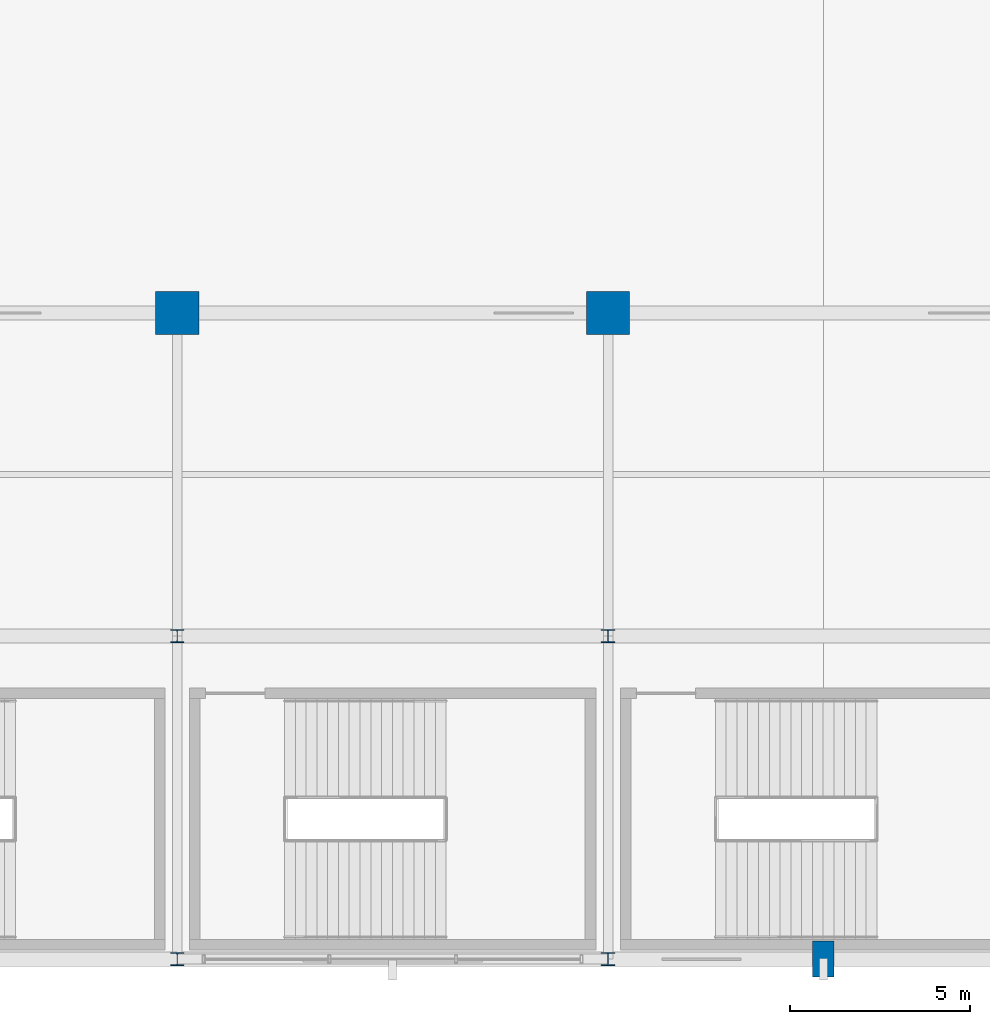
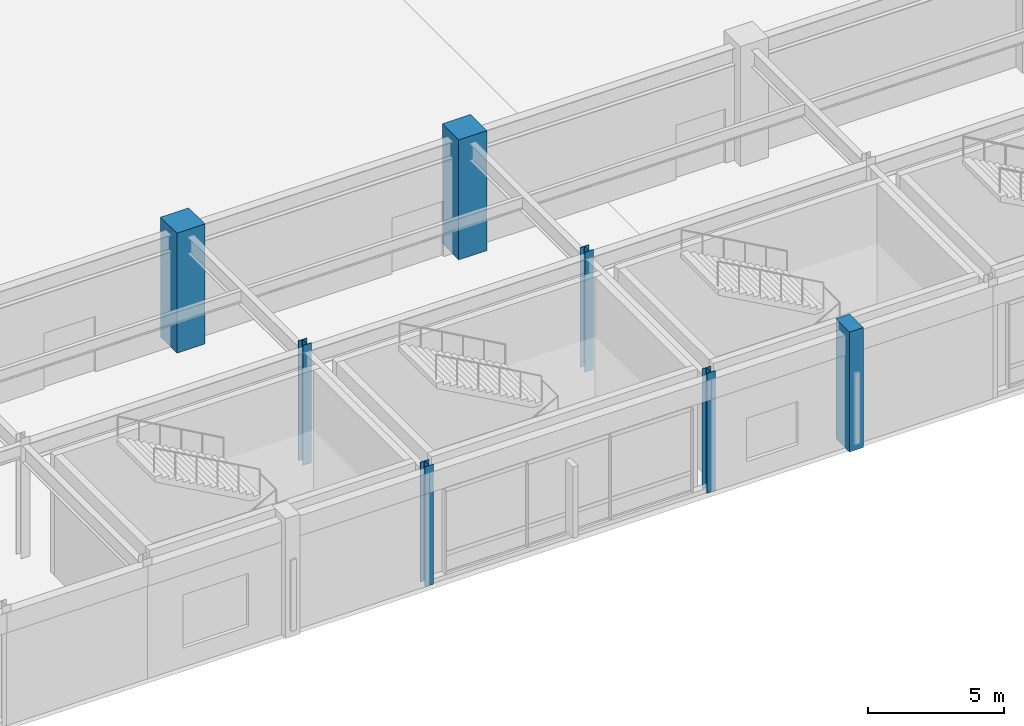
# One storey, part 2 of 100: 7 columns.
"""IFC4 building model written with IfcOpenShell, lengths in metres."""

from ifc_helpers import new_model, si_unit, direction, frame, origin, origin_2d, place, context, subcontext, project, spatial, rectangle, i_section, extrude, material, material_profile, profile_set, type_object, element, save


model = new_model("IFC4")

# Units and contexts
model_context = context("Model", 3, precision=1e-05, world=origin(), true_north=direction((0.0, 1.0)))
body_context = subcontext(model_context, "Body", "Model", "MODEL_VIEW")
ifc_project = project(units=[si_unit("LENGTHUNIT", "METRE"), si_unit("AREAUNIT", "SQUARE_METRE"), si_unit("VOLUMEUNIT", "CUBIC_METRE"), si_unit("PLANEANGLEUNIT", "RADIAN"), si_unit("MASSUNIT", "GRAM", prefix="KILO")], contexts=[model_context])

# Site, building, storey
site_placement = place(None, origin())
site = spatial("IfcSite", under=ifc_project, at=site_placement, CompositionType="ELEMENT")
building_placement = place(site_placement, origin())
building = spatial("IfcBuilding", under=site, at=building_placement, Name="Kaldorvane Square Convention Centre", CompositionType="ELEMENT")
storey_placement = place(building_placement, frame((0.0, 0.0, 18.0)))
storey = spatial("IfcBuildingStorey", under=building, at=storey_placement, Name="L03", CompositionType="ELEMENT", Elevation=18.0)

# Columns
ifc_material_1 = material(Name="Concrete f'c = 55 MPa (Normalweight)", Category="concrete")
ifc_material_profile_1 = material_profile(ifc_material_1, rectangle(XDim=1.1999969482421875, YDim=1.1999969482421875, at=origin_2d()), Name="RC1200X1200")
ifc_profile_set_1 = profile_set([ifc_material_profile_1], Name="Concrete f'c = 55 MPa (Normalweight)")
column_type_1 = type_object("IfcColumnType", Name="COL-MEGA-1200", PredefinedType="COLUMN", material=ifc_profile_set_1)
for number, where, z_axis, x_axis, name in (
    (1, (42.0, 18.0, 0.0), (0.0, 0.0, 1.0), (1.0, 0.0, 0.0), "Column MC-02 (L03)"),
    (2, (54.0, 18.0, 0.0), (0.0, 0.0, 1.0), (1.0, 0.0, 0.0), "Column MC-02 (L03)"),
):
    element("IfcColumn", number, at=place(storey_placement, frame(where, z_axis=z_axis, x_axis=x_axis)), inside=storey, type_object=column_type_1, Name=name, PredefinedType="COLUMN", context=body_context, shape_type="SweptSolid", body=[
        extrude(rectangle(XDim=1.1999969482421875, YDim=1.1999969482421875, at=origin_2d()), origin(), (0.0, 0.0, 1.0), 5.399993896484375),
    ])
ifc_material_2 = material(Name="Steel ASTM A992 Gr. 50", Category="steel")
ifc_material_profile_2 = material_profile(ifc_material_2, i_section(OverallWidth=0.3701019287109375, OverallDepth=0.360198974609375, WebThickness=0.012298583984375, FlangeThickness=0.019805908203125, FilletRadius=0.0305023193359375, at=origin_2d()), Name="W14X99")
ifc_profile_set_2 = profile_set([ifc_material_profile_2], Name="Steel ASTM A992 Gr. 50")
column_type_2 = type_object("IfcColumnType", Name="COL-STL-99", PredefinedType="COLUMN", material=ifc_profile_set_2)
for number, where, z_axis, x_axis, name in (
    (3, (42.0, 0.0, 0.0), (0.0, 0.0, 1.0), (1.0, 0.0, 0.0), "Column SC-12 (L03)"),
    (4, (42.0, 9.0, 0.0), (0.0, 0.0, 1.0), (1.0, 0.0, 0.0), "Column SC-12 (L03)"),
    (5, (54.0, 0.0, 0.0), (0.0, 0.0, 1.0), (1.0, 0.0, 0.0), "Column SC-12 (L03)"),
    (6, (54.0, 9.0, 0.0), (0.0, 0.0, 1.0), (1.0, 0.0, 0.0), "Column SC-12 (L03)"),
):
    element("IfcColumn", number, at=place(storey_placement, frame(where, z_axis=z_axis, x_axis=x_axis)), inside=storey, type_object=column_type_2, Name=name, PredefinedType="COLUMN", context=body_context, shape_type="SweptSolid", body=[
        extrude(i_section(OverallWidth=0.3701019287109375, OverallDepth=0.360198974609375, WebThickness=0.012298583984375, FlangeThickness=0.019805908203125, FilletRadius=0.0305023193359375, at=origin_2d()), origin(), (0.0, 0.0, 1.0), 5.399993896484375),
    ])
ifc_material_profile_3 = material_profile(ifc_material_1, rectangle(XDim=0.600006103515625, YDim=1.0, at=origin_2d()), Name="PIL1000X600")
ifc_profile_set_3 = profile_set([ifc_material_profile_3], Name="Concrete f'c = 55 MPa (Normalweight)")
column_type_3 = type_object("IfcColumnType", Name="PIL-BRUT-1000", PredefinedType="PILASTER", material=ifc_profile_set_3)
column_placement = place(storey_placement, frame((60.0, 0.0, 0.0), z_axis=(0.0, 0.0, 1.0), x_axis=(1.0, 0.0, 0.0)))
element("IfcColumn", 7, at=column_placement, inside=storey, type_object=column_type_3, Name="Brutalist Colonnade Pilaster (L03)", PredefinedType="PILASTER", context=body_context, shape_type="SweptSolid", body=[
    extrude(rectangle(XDim=0.600006103515625, YDim=1.0, at=origin_2d()), origin(), (0.0, 0.0, 1.0), 5.399993896484375),
])

save(model, "model.ifc")
